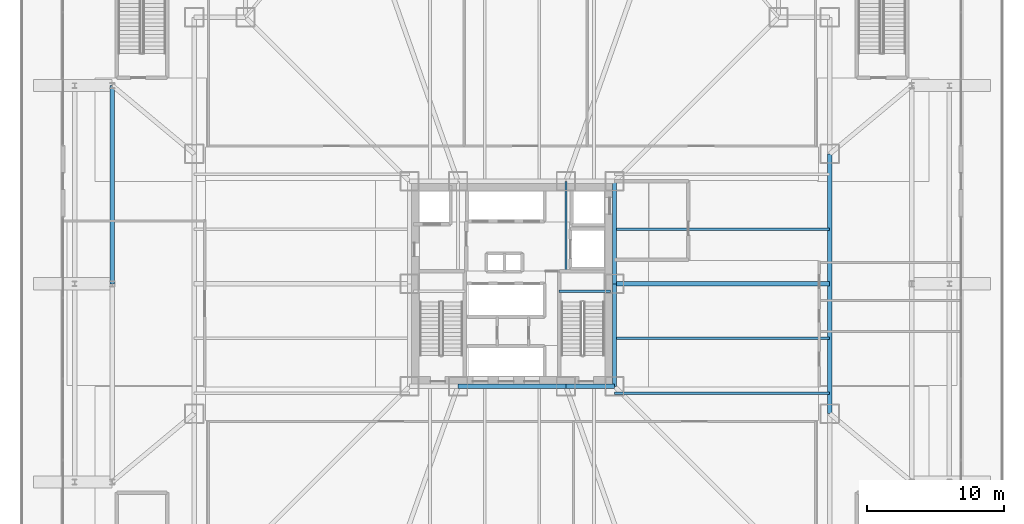
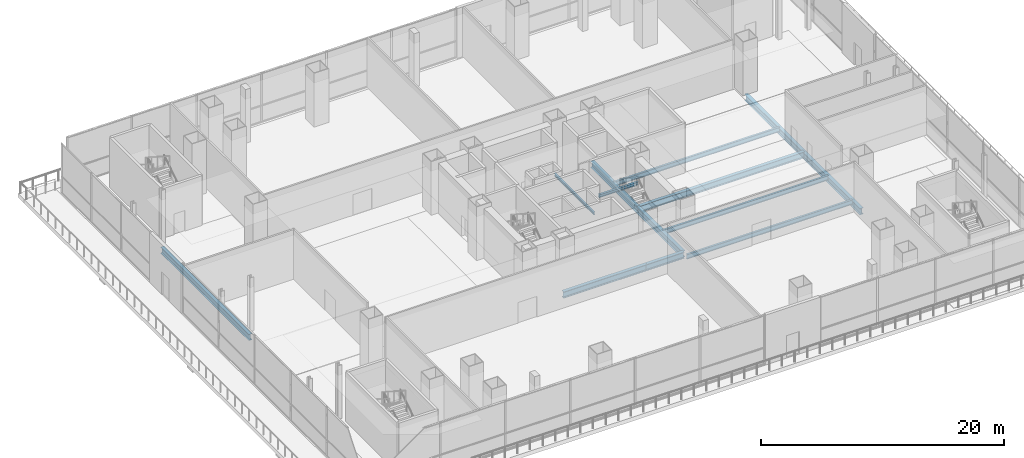
# One storey, part 11 of 36: 12 beams.
"""IFC4 building model written with IfcOpenShell, lengths in metres."""

from ifc_helpers import new_model, si_unit, direction, frame, origin, origin_2d, place, context, subcontext, project, spatial, i_section, extrude, material, material_profile, profile_set, type_object, element, save


model = new_model("IFC4")

# Units and contexts
model_context = context("Model", 3, precision=1e-05, world=origin(), true_north=direction((0.0, 1.0)))
body_context = subcontext(model_context, "Body", "Model", "MODEL_VIEW")
ifc_project = project(units=[si_unit("LENGTHUNIT", "METRE"), si_unit("AREAUNIT", "SQUARE_METRE"), si_unit("VOLUMEUNIT", "CUBIC_METRE"), si_unit("PLANEANGLEUNIT", "RADIAN"), si_unit("MASSUNIT", "GRAM", prefix="KILO")], contexts=[model_context])

# Site, building, storey
site_placement = place(None, origin())
site = spatial("IfcSite", under=ifc_project, at=site_placement, CompositionType="ELEMENT")
building_placement = place(site_placement, origin())
building = spatial("IfcBuilding", under=site, at=building_placement, Name="Trevonay Congress Spire", CompositionType="ELEMENT")
storey_placement = place(building_placement, frame((0.0, 0.0, 16.199951171875)))
storey = spatial("IfcBuildingStorey", under=building, at=storey_placement, Name="L03", CompositionType="ELEMENT", Elevation=16.199951171875)

# Beams
ifc_material = material(Name="Steel ASTM A572 Grade 50", Category="steel")
ifc_material_profile_1 = material_profile(ifc_material, i_section(OverallWidth=0.324951171875, OverallDepth=0.615966796875, WebThickness=0.013916015625, FlangeThickness=0.021484375, FilletRadius=0.01806640625, at=origin_2d()), Name="W610x174")
ifc_profile_set_1 = profile_set([ifc_material_profile_1], Name="Steel ASTM A572 Grade 50")
beam_type_1 = type_object("IfcBeamType", Name="BM-GIRD-W610X174", PredefinedType="BEAM", material=ifc_profile_set_1)
beam_1_placement = place(storey_placement, frame((7.5, 0.0, -0.7080078125), z_axis=(1.0, 0.0, 0.0), x_axis=(0.0, 1.0, 0.0)))
element("IfcBeam", 1, at=beam_1_placement, inside=storey, type_object=beam_type_1, Name="L03 structural beam BM-L03-RAD-EC", PredefinedType="BEAM", context=body_context, shape_type="SweptSolid", body=[
    extrude(i_section(OverallWidth=0.324951171875, OverallDepth=0.615966796875, WebThickness=0.013916015625, FlangeThickness=0.021484375, FilletRadius=0.01806640625, at=origin_2d()), origin(), (0.0, 0.0, 1.0), 15.75),
])
beam_2_placement = place(storey_placement, frame((-29.25, 0.0, -0.7080078125), z_axis=(0.0, 1.0, 0.0), x_axis=(-1.0, 0.0, 0.0)))
element("IfcBeam", 2, at=beam_2_placement, inside=storey, type_object=beam_type_1, Name="L03 structural beam BM-L03-POD-WH", PredefinedType="BEAM", context=body_context, shape_type="SweptSolid", body=[
    extrude(i_section(OverallWidth=0.324951171875, OverallDepth=0.615966796875, WebThickness=0.013916015625, FlangeThickness=0.021484375, FilletRadius=0.01806640625, at=origin_2d()), origin(), (0.0, 0.0, 1.0), 14.5),
])
ifc_material_profile_2 = material_profile(ifc_material, i_section(OverallWidth=0.3291015625, OverallDepth=0.635009765625, WebThickness=0.017822265625, FlangeThickness=0.031005859375, FilletRadius=0.01806640625, at=origin_2d()), Name="W610x241")
ifc_profile_set_2 = profile_set([ifc_material_profile_2], Name="Steel ASTM A572 Grade 50")
beam_type_2 = type_object("IfcBeamType", Name="BM-GIRD-W610X241", PredefinedType="BEAM", material=ifc_profile_set_2)
beam_3_placement = place(storey_placement, frame((-3.949951171875, -7.5, -0.717529296875), z_axis=(1.0, 0.0, 0.0), x_axis=(0.0, 1.0, 0.0)))
element("IfcBeam", 3, at=beam_3_placement, inside=storey, type_object=beam_type_2, Name="L03 structural beam BM-L03-CR-S2", PredefinedType="BEAM", context=body_context, shape_type="SweptSolid", body=[
    extrude(i_section(OverallWidth=0.3291015625, OverallDepth=0.635009765625, WebThickness=0.017822265625, FlangeThickness=0.031005859375, FilletRadius=0.01806640625, at=origin_2d()), origin(), (0.0, 0.0, 1.0), 7.89990234375),
])
beam_4_placement = place(storey_placement, frame((3.949951171875, -7.5, -0.717529296875), z_axis=(1.0, 0.0, 0.0), x_axis=(0.0, 1.0, 0.0)))
element("IfcBeam", 4, at=beam_4_placement, inside=storey, type_object=beam_type_2, Name="L03 structural beam BM-L03-CR-S3", PredefinedType="BEAM", context=body_context, shape_type="SweptSolid", body=[
    extrude(i_section(OverallWidth=0.3291015625, OverallDepth=0.635009765625, WebThickness=0.017822265625, FlangeThickness=0.031005859375, FilletRadius=0.01806640625, at=origin_2d()), origin(), (0.0, 0.0, 1.0), 3.550048828125),
])
for number, where, z_axis, x_axis, name in (
    (5, (7.5, -7.5, -0.717529296875), (0.0, 1.0, 0.0), (-1.0, 0.0, 0.0), "L03 structural beam BM-L03-CR-E1"),
    (6, (7.5, 0.0, -0.717529296875), (0.0, 1.0, 0.0), (-1.0, 0.0, 0.0), "L03 structural beam BM-L03-CR-E2"),
):
    element("IfcBeam", number, at=place(storey_placement, frame(where, z_axis=z_axis, x_axis=x_axis)), inside=storey, type_object=beam_type_2, Name=name, PredefinedType="BEAM", context=body_context, shape_type="SweptSolid", body=[
        extrude(i_section(OverallWidth=0.3291015625, OverallDepth=0.635009765625, WebThickness=0.017822265625, FlangeThickness=0.031005859375, FilletRadius=0.01806640625, at=origin_2d()), origin(), (0.0, 0.0, 1.0), 7.5),
    ])
beam_5_placement = place(storey_placement, frame((23.25, -9.5, -0.717529296875), z_axis=(0.0, 1.0, 0.0), x_axis=(-1.0, 0.0, 0.0)))
element("IfcBeam", 7, at=beam_5_placement, inside=storey, type_object=beam_type_2, Name="L03 structural beam BM-L03-ME2", PredefinedType="BEAM", context=body_context, shape_type="SweptSolid", body=[
    extrude(i_section(OverallWidth=0.3291015625, OverallDepth=0.635009765625, WebThickness=0.017822265625, FlangeThickness=0.031005859375, FilletRadius=0.01806640625, at=origin_2d()), origin(), (0.0, 0.0, 1.0), 19.0),
])
ifc_material_profile_3 = material_profile(ifc_material, i_section(OverallWidth=0.18994140625, OverallDepth=0.45703125, WebThickness=0.009033203125, FlangeThickness=0.014404296875, FilletRadius=0.013916015625, at=origin_2d()), Name="W460x74")
ifc_profile_set_3 = profile_set([ifc_material_profile_3], Name="Steel ASTM A572 Grade 50")
beam_type_3 = type_object("IfcBeamType", Name="JS-COMP-W460X74", PredefinedType="JOIST", material=ifc_profile_set_3)
for number, where, z_axis, x_axis, name in (
    (8, (7.5, -8.0, -0.62841796875), (1.0, 0.0, 0.0), (0.0, 1.0, 0.0), "L03 structural beam JS-L03-EH1"),
    (9, (7.5, -4.0, -0.62841796875), (1.0, 0.0, 0.0), (0.0, 1.0, 0.0), "L03 structural beam JS-L03-EH2"),
    (10, (7.5, 4.0, -0.62841796875), (1.0, 0.0, 0.0), (0.0, 1.0, 0.0), "L03 structural beam JS-L03-EH3"),
):
    element("IfcBeam", number, at=place(storey_placement, frame(where, z_axis=z_axis, x_axis=x_axis)), inside=storey, type_object=beam_type_3, Name=name, PredefinedType="JOIST", context=body_context, shape_type="SweptSolid", body=[
        extrude(i_section(OverallWidth=0.18994140625, OverallDepth=0.45703125, WebThickness=0.009033203125, FlangeThickness=0.014404296875, FilletRadius=0.013916015625, at=origin_2d()), origin(), (0.0, 0.0, 1.0), 15.75),
    ])
ifc_material_profile_4 = material_profile(ifc_material, i_section(OverallWidth=0.2041015625, OverallDepth=0.305908203125, WebThickness=0.008544921875, FlangeThickness=0.0146484375, FilletRadius=0.010986328125, at=origin_2d()), Name="W310x67")
ifc_profile_set_4 = profile_set([ifc_material_profile_4], Name="Steel ASTM A572 Grade 50")
beam_type_4 = type_object("IfcBeamType", Name="LN-CORE-W310X67", PredefinedType="LINTEL", material=ifc_profile_set_4)
beam_6_placement = place(storey_placement, frame((3.449951171875, -0.550048828125, 2.34716796875), z_axis=(1.0, 0.0, 0.0), x_axis=(0.0, 1.0, 0.0)))
element("IfcBeam", 11, at=beam_6_placement, inside=storey, type_object=beam_type_4, Name="L03 structural beam BM-L03-HL-ST2", PredefinedType="LINTEL", context=body_context, shape_type="SweptSolid", body=[
    extrude(i_section(OverallWidth=0.2041015625, OverallDepth=0.305908203125, WebThickness=0.008544921875, FlangeThickness=0.0146484375, FilletRadius=0.010986328125, at=origin_2d()), origin(), (0.0, 0.0, 1.0), 3.75),
])
ifc_material_profile_5 = material_profile(ifc_material, i_section(OverallWidth=0.14794921875, OverallDepth=0.26611328125, WebThickness=0.007568359375, FlangeThickness=0.012939453125, FilletRadius=0.010009765625, at=origin_2d()), Name="W250x44.8")
ifc_profile_set_5 = profile_set([ifc_material_profile_5], Name="Steel ASTM A572 Grade 50")
beam_type_5 = type_object("IfcBeamType", Name="LN-DOOR-W250X45", PredefinedType="LINTEL", material=ifc_profile_set_5)
beam_7_placement = place(storey_placement, frame((3.949951171875, 1.0, -0.532958984375), z_axis=(0.0, 1.0, 0.0), x_axis=(-1.0, 0.0, 0.0)))
element("IfcBeam", 12, at=beam_7_placement, inside=storey, type_object=beam_type_5, Name="L03 structural beam LIN-L03-E", PredefinedType="LINTEL", context=body_context, shape_type="SweptSolid", body=[
    extrude(i_section(OverallWidth=0.14794921875, OverallDepth=0.26611328125, WebThickness=0.007568359375, FlangeThickness=0.012939453125, FilletRadius=0.010009765625, at=origin_2d()), origin(), (0.0, 0.0, 1.0), 6.5),
])

save(model, "model.ifc")
